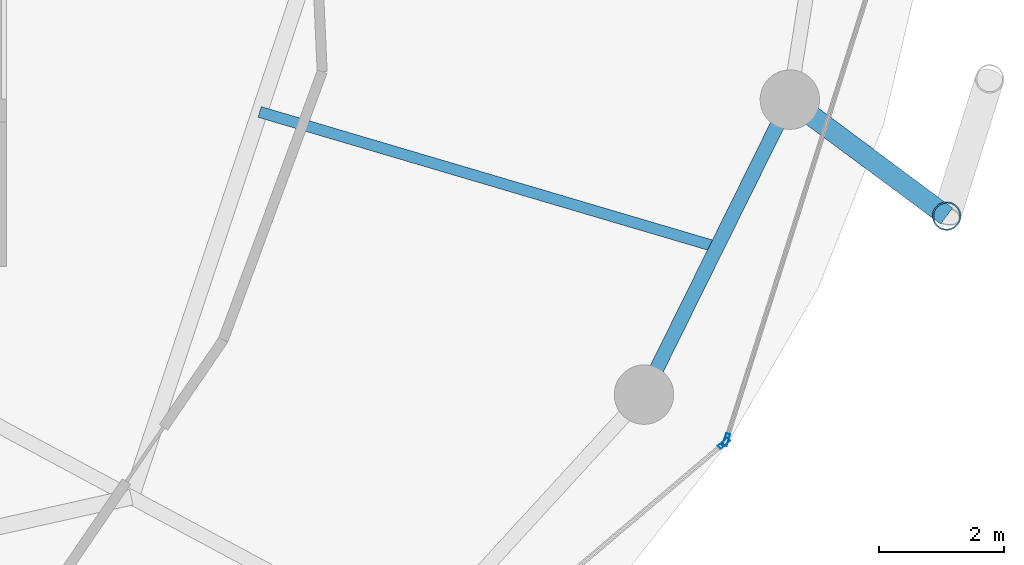
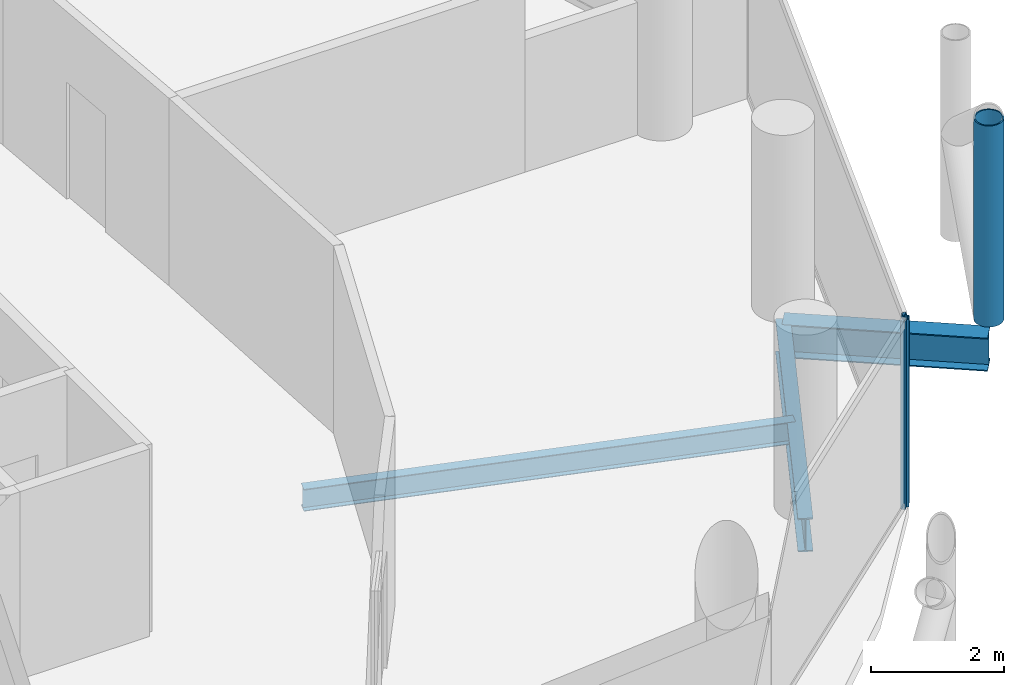
# One storey, part 10 of 26: 3 beams, 3 members, 2 elements without a shape of their own.
"""IFC4 building model written with IfcOpenShell, lengths in metres."""

from ifc_helpers import new_model, si_unit, direction, frame, origin, origin_2d, place, context, subcontext, project, spatial, hollow_rectangle, hollow_circle, i_section, extrude, material, layer, layer_set, material_profile, profile_set, type_object, element, aggregate, save


model = new_model("IFC4")

# Units and contexts
model_context = context("Model", 3, precision=1e-05, world=origin(), true_north=direction((0.0, 1.0)))
body_context = subcontext(model_context, "Body", "Model", "MODEL_VIEW")
ifc_project = project(units=[si_unit("LENGTHUNIT", "METRE"), si_unit("AREAUNIT", "SQUARE_METRE"), si_unit("VOLUMEUNIT", "CUBIC_METRE"), si_unit("PLANEANGLEUNIT", "RADIAN"), si_unit("MASSUNIT", "GRAM", prefix="KILO")], contexts=[model_context])

# Site, building, storey
site_placement = place(None, origin())
site = spatial("IfcSite", under=ifc_project, at=site_placement, CompositionType="ELEMENT")
building_placement = place(site_placement, origin())
building = spatial("IfcBuilding", under=site, at=building_placement, Name="Nuhasar Tower", CompositionType="ELEMENT")
storey_placement = place(building_placement, frame((0.0, 0.0, 184.85009765625)))
storey = spatial("IfcBuildingStorey", under=building, at=storey_placement, Name="L45", CompositionType="ELEMENT", Elevation=184.85009765625)

# Beams
ifc_material_1 = material(Name="Steel S355", Category="steel")
ifc_material_profile_1 = material_profile(ifc_material_1, i_section(OverallWidth=0.177978515625, OverallDepth=0.406005859375, WebThickness=0.0078125, FlangeThickness=0.0126953125, at=origin_2d()), Name="W16X40")
ifc_profile_set_1 = profile_set([ifc_material_profile_1], Name="Steel S355")
beam_type_1 = type_object("IfcBeamType", Name="BM-JST-W16X40", PredefinedType="JOIST", material=ifc_profile_set_1)
beam_1_placement = place(storey_placement, frame((53.0791015625, 21.54296875, -0.453125), z_axis=(0.959000494697, -0.283404395116, 0.0), x_axis=(0.283404395116, 0.959000494697, 0.0)))
element("IfcBeam", 1, at=beam_1_placement, inside=storey, type_object=beam_type_1, Name="L45 Secondary Floor Joist 03", PredefinedType="JOIST", context=body_context, shape_type="SweptSolid", body=[
    extrude(i_section(OverallWidth=0.177978515625, OverallDepth=0.406005859375, WebThickness=0.0078125, FlangeThickness=0.0126953125, at=origin_2d()), origin(), (0.0, 0.0, 1.0), 7.621337890625),
])
ifc_material_profile_2 = material_profile(ifc_material_1, i_section(OverallWidth=0.22998046875, OverallDepth=0.616943359375, WebThickness=0.01318359375, FlangeThickness=0.022216796875, at=origin_2d()), Name="W24X94")
ifc_profile_set_2 = profile_set([ifc_material_profile_2], Name="Steel S355")
beam_type_2 = type_object("IfcBeamType", Name="BM-RING-W24X94", PredefinedType="SPANDREL", material=ifc_profile_set_2)
beam_2_placement = place(storey_placement, frame((59.221923828125, 17.02490234375, -0.55908203125), z_axis=(0.443329327657, 0.896358804966, 0.0), x_axis=(-0.896358804966, 0.443329327657, 0.0)))
element("IfcBeam", 2, at=beam_2_placement, inside=storey, type_object=beam_type_2, Name="L45 Perimeter Ring Spandrel 23", PredefinedType="SPANDREL", context=body_context, shape_type="SweptSolid", body=[
    extrude(i_section(OverallWidth=0.22998046875, OverallDepth=0.616943359375, WebThickness=0.01318359375, FlangeThickness=0.022216796875, at=origin_2d()), origin(), (0.0, 0.0, 1.0), 5.26025390625),
])
ifc_material_profile_3 = material_profile(ifc_material_1, i_section(OverallWidth=0.323974609375, OverallDepth=0.611083984375, WebThickness=0.0126953125, FlangeThickness=0.01904296875, at=origin_2d()), Name="W24X104")
ifc_profile_set_3 = profile_set([ifc_material_profile_3], Name="Steel S355")
beam_type_3 = type_object("IfcBeamType", Name="BM-TIE-W24X104", PredefinedType="BEAM", material=ifc_profile_set_3)
beam_3_placement = place(storey_placement, frame((61.553955078125, 21.739990234375, -0.55615234375), z_axis=(0.80283476238, -0.596201597041, 0.0), x_axis=(0.596201597041, 0.80283476238, 0.0)))
element("IfcBeam", 3, at=beam_3_placement, inside=storey, type_object=beam_type_3, Name="L45 Exoskeleton Node Tie Beam 12", PredefinedType="BEAM", context=body_context, shape_type="SweptSolid", body=[
    extrude(i_section(OverallWidth=0.323974609375, OverallDepth=0.611083984375, WebThickness=0.0126953125, FlangeThickness=0.01904296875, at=origin_2d()), origin(), (0.0, 0.0, 1.0), 3.12158203125),
])

# Curtain wall, member
ifc_material_2 = material(Name="Aluminium 6063-T6", Category="aluminium")
ifc_layer = layer(ifc_material_2, 0.199951171875)
ifc_layer_set = layer_set([ifc_layer], Name="Aluminium 6063-T6")
curtain_wall_type = type_object("IfcCurtainWallType", Name="CW-Z2-HTL", PredefinedType="NOTDEFINED", material=ifc_layer_set)
curtain_wall_1_placement = place(storey_placement, origin())
curtain_wall_1 = element("IfcCurtainWall", 4, at=curtain_wall_1_placement, inside=storey, type_object=curtain_wall_type, Name="L45 Unitised Curtain Wall 11", PredefinedType="NOTDEFINED")
ifc_material_profile_4 = material_profile(ifc_material_2, hollow_rectangle(XDim=0.070068359375, YDim=0.199951171875, WallThickness=0.0048828125, at=origin_2d()), Name="CWM-3")
ifc_profile_set_4 = profile_set([ifc_material_profile_4], Name="Aluminium 6063-T6")
member_type_1 = type_object("IfcMemberType", Name="CW-MUL-S3", PredefinedType="MULLION", material=ifc_profile_set_4)
member_1_placement = place(storey_placement, frame((60.502197265625, 16.247314453125, 0.0), z_axis=(0.0, 0.0, 1.0), x_axis=(-0.646374438324, 0.763020370292, 0.0)))
member_1 = element("IfcMember", 5, at=member_1_placement, type_object=member_type_1, Name="CW-Z2 mullion 2", PredefinedType="MULLION", context=body_context, shape_type="SweptSolid", body=[
    extrude(hollow_rectangle(XDim=0.070068359375, YDim=0.199951171875, WallThickness=0.0048828125, at=origin_2d()), origin(), (0.0, 0.0, 1.0), 3.449951171875),
])
aggregate(curtain_wall_1, [member_1])

curtain_wall_2_placement = place(storey_placement, origin())
curtain_wall_2 = element("IfcCurtainWall", 6, at=curtain_wall_2_placement, inside=storey, type_object=curtain_wall_type, Name="L45 Unitised Curtain Wall 12", PredefinedType="NOTDEFINED")
member_2_placement = place(storey_placement, frame((60.53955078125, 16.303466796875, 0.0), z_axis=(0.0, 0.0, 1.0), x_axis=(-0.953433389233, 0.301603667577, 0.0)))
member_2 = element("IfcMember", 7, at=member_2_placement, type_object=member_type_1, Name="CW-Z2 mullion 1", PredefinedType="MULLION", context=body_context, shape_type="SweptSolid", body=[
    extrude(hollow_rectangle(XDim=0.070068359375, YDim=0.199951171875, WallThickness=0.0048828125, at=origin_2d()), origin(), (0.0, 0.0, 1.0), 3.449951171875),
])
aggregate(curtain_wall_2, [member_2])

# Member
ifc_material_3 = material(Name="Steel S460", Category="steel")
ifc_material_profile_5 = material_profile(ifc_material_3, hollow_circle(Radius=0.228515625, WallThickness=0.022216796875, at=origin_2d()), Name="HSS457X22.2")
ifc_profile_set_5 = profile_set([ifc_material_profile_5], Name="Steel S460")
member_type_2 = type_object("IfcMemberType", Name="EXO-BRONZE-457", PredefinedType="BRACE", material=ifc_profile_set_5)
member_3_placement = place(storey_placement, frame((64.06005859375, 19.87890625, 0.0), z_axis=(0.0, 0.0, 1.0), x_axis=(1.0, 0.0, 0.0)))
element("IfcMember", 8, at=member_3_placement, inside=storey, type_object=member_type_2, Name="L45 Exoskeleton Chord Column EC-12A", PredefinedType="BRACE", context=body_context, shape_type="SweptSolid", body=[
    extrude(hollow_circle(Radius=0.228515625, WallThickness=0.022216796875, at=origin_2d()), origin(), (0.0, 0.0, 1.0), 3.699951171875),
])

save(model, "model.ifc")
